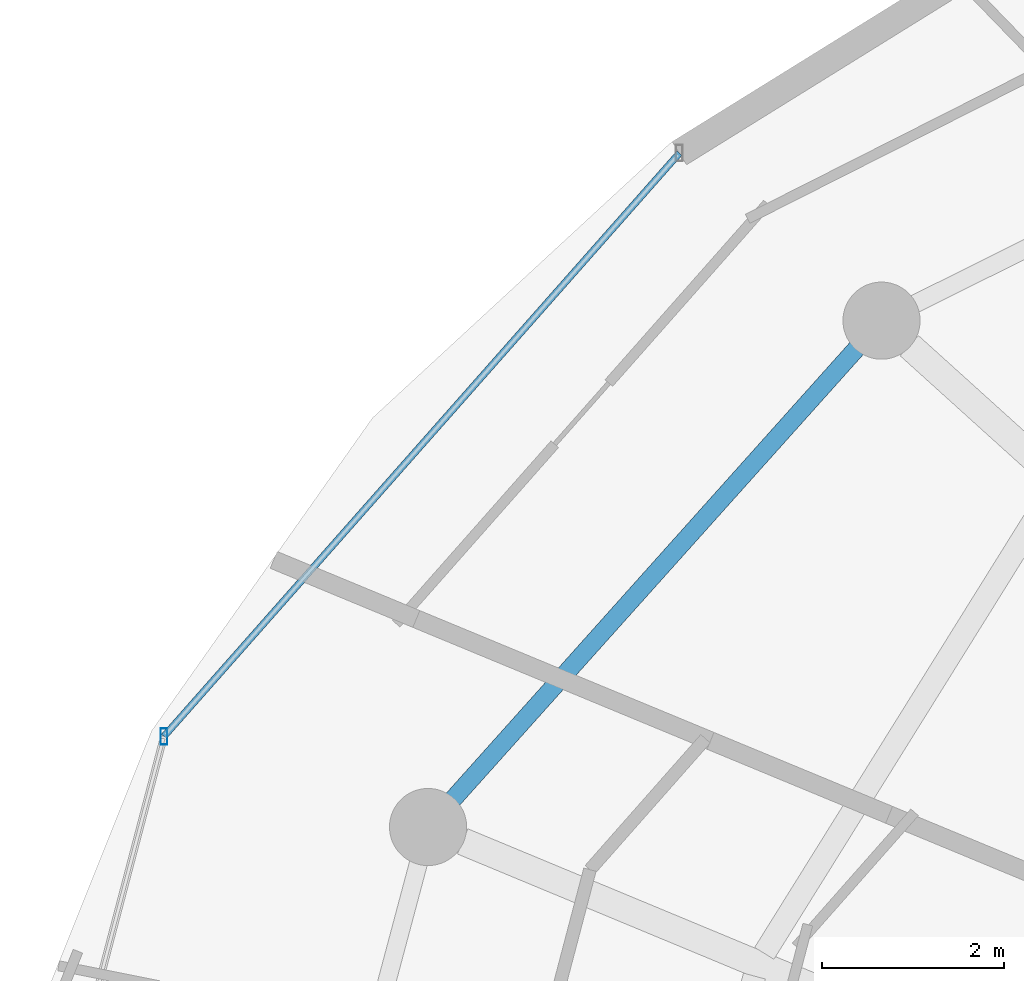
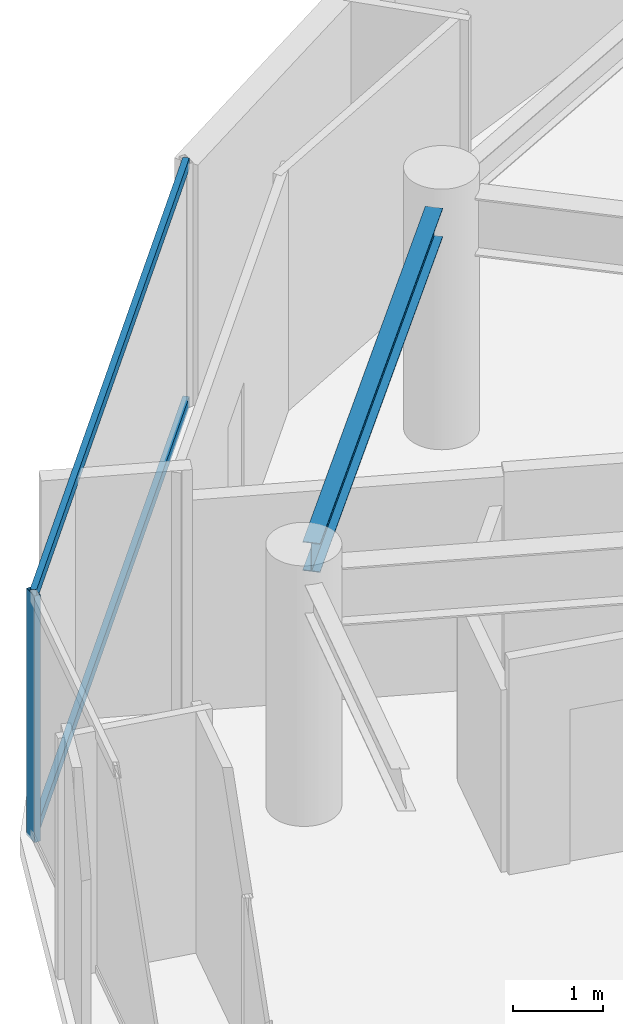
# One storey, part 9 of 31: 3 members, 1 beam, 1 element without a shape of its own.
"""IFC4 building model written with IfcOpenShell, lengths in metres."""

from ifc_helpers import new_model, si_unit, direction, frame, origin, origin_2d, place, context, subcontext, project, spatial, hollow_rectangle, i_section, extrude, material, material_profile, profile_set, type_object, element, aggregate, save


model = new_model("IFC4")

# Units and contexts
model_context = context("Model", 3, precision=1e-05, world=origin(), true_north=direction((0.0, 1.0)))
body_context = subcontext(model_context, "Body", "Model", "MODEL_VIEW")
ifc_project = project(units=[si_unit("LENGTHUNIT", "METRE"), si_unit("AREAUNIT", "SQUARE_METRE"), si_unit("VOLUMEUNIT", "CUBIC_METRE"), si_unit("PLANEANGLEUNIT", "RADIAN"), si_unit("MASSUNIT", "GRAM", prefix="KILO")], contexts=[model_context])

# Site, building, storey
site_placement = place(None, origin())
site = spatial("IfcSite", under=ifc_project, at=site_placement, CompositionType="ELEMENT")
building_placement = place(site_placement, origin())
building = spatial("IfcBuilding", under=site, at=building_placement, Name="Vorneva Point Tower", CompositionType="ELEMENT")
storey_placement = place(building_placement, frame((0.0, 0.0, 266.199951171875)))
storey = spatial("IfcBuildingStorey", under=building, at=storey_placement, Name="L72", CompositionType="ELEMENT", Elevation=266.199951171875)

# Beam
ifc_material_1 = material(Name="Steel S355", Category="steel")
ifc_material_profile_1 = material_profile(ifc_material_1, i_section(OverallWidth=0.198974609375, OverallDepth=0.39599609375, WebThickness=0.007080078125, FlangeThickness=0.010986328125, at=origin_2d()), Name="40B1")
ifc_profile_set_1 = profile_set([ifc_material_profile_1], Name="Steel S355")
beam_type = type_object("IfcBeamType", Name="BM-SPN-40B1", PredefinedType="SPANDREL", material=ifc_profile_set_1)
beam_placement = place(storey_placement, frame((21.427734375, 37.856689453125, 3.092041015625), z_axis=(-0.667108282638, -0.744960763554, 0.0), x_axis=(0.744960763554, -0.667108282638, 0.0)))
element("IfcBeam", 1, at=beam_placement, inside=storey, type_object=beam_type, Name="L72 Perimeter Spandrel Ring Beam 07", PredefinedType="SPANDREL", context=body_context, shape_type="SweptSolid", body=[
    extrude(i_section(OverallWidth=0.198974609375, OverallDepth=0.39599609375, WebThickness=0.007080078125, FlangeThickness=0.010986328125, at=origin_2d()), origin(), (0.0, 0.0, 1.0), 6.670166015625),
])

# Curtain wall, members
ifc_material_2 = material(Name="Pale anodised aluminium", Category="aluminium")
curtain_wall_type = type_object("IfcCurtainWallType", Name="CW-RES-SYS", PredefinedType="NOTDEFINED", material=ifc_material_2)
curtain_wall_placement = place(storey_placement, origin())
curtain_wall = element("IfcCurtainWall", 2, at=curtain_wall_placement, inside=storey, type_object=curtain_wall_type, Name="L72 Unitised Curtain Wall CW-L72-R03", PredefinedType="NOTDEFINED")
ifc_material_profile_2 = material_profile(ifc_material_2, hollow_rectangle(XDim=0.074951171875, YDim=0.179931640625, WallThickness=0.00390625, at=origin_2d()), Name="AL-MUL 180x75x4")
ifc_profile_set_2 = profile_set([ifc_material_profile_2], Name="Pale anodised aluminium")
member_type_1 = type_object("IfcMemberType", Name="CW-MUL-180", PredefinedType="MULLION", material=ifc_profile_set_2)
member_1_placement = place(storey_placement, frame((13.79443359375, 33.5810546875, -0.0400390625), z_axis=(0.0, 0.0, 1.0), x_axis=(1.0, 0.0, 0.0)))
member_1 = element("IfcMember", 3, at=member_1_placement, type_object=member_type_1, Name="CW-L72-R03 Mullion 02", PredefinedType="MULLION", context=body_context, shape_type="SweptSolid", body=[
    extrude(hollow_rectangle(XDim=0.074951171875, YDim=0.179931640625, WallThickness=0.00390625, at=origin_2d()), origin(), (0.0, 0.0, 1.0), 3.360107421875),
])
ifc_material_profile_3 = material_profile(ifc_material_2, hollow_rectangle(XDim=0.074951171875, YDim=0.14990234375, WallThickness=0.00390625, at=origin_2d()), Name="AL-TRN 150x75x4")
ifc_profile_set_3 = profile_set([ifc_material_profile_3], Name="Pale anodised aluminium")
member_type_2 = type_object("IfcMemberType", Name="CW-TRN-150", PredefinedType="USERDEFINED", material=ifc_profile_set_3)
member_2_placement = place(storey_placement, frame((19.473876953125, 40.0078125, 0.02001953125), z_axis=(-0.662196681357, -0.74933007093, 0.0), x_axis=(0.74933007093, -0.662196681357, 0.0)))
member_2 = element("IfcMember", 4, at=member_2_placement, type_object=member_type_2, Name="CW-L72-R03 Transom 01.1", ObjectType="TRANSOM", PredefinedType="USERDEFINED", context=body_context, shape_type="SweptSolid", body=[
    extrude(hollow_rectangle(XDim=0.074951171875, YDim=0.14990234375, WallThickness=0.00390625, at=origin_2d()), origin(), (0.0, 0.0, 1.0), 8.57666015625),
])
member_3_placement = place(storey_placement, frame((19.473876953125, 40.0078125, 3.27001953125), z_axis=(-0.662196681357, -0.74933007093, 0.0), x_axis=(0.74933007093, -0.662196681357, 0.0)))
member_3 = element("IfcMember", 5, at=member_3_placement, type_object=member_type_2, Name="CW-L72-R03 Transom 01.2", ObjectType="TRANSOM", PredefinedType="USERDEFINED", context=body_context, shape_type="SweptSolid", body=[
    extrude(hollow_rectangle(XDim=0.074951171875, YDim=0.14990234375, WallThickness=0.00390625, at=origin_2d()), origin(), (0.0, 0.0, 1.0), 8.57666015625),
])
aggregate(curtain_wall, [member_1, member_2, member_3])

save(model, "model.ifc")
